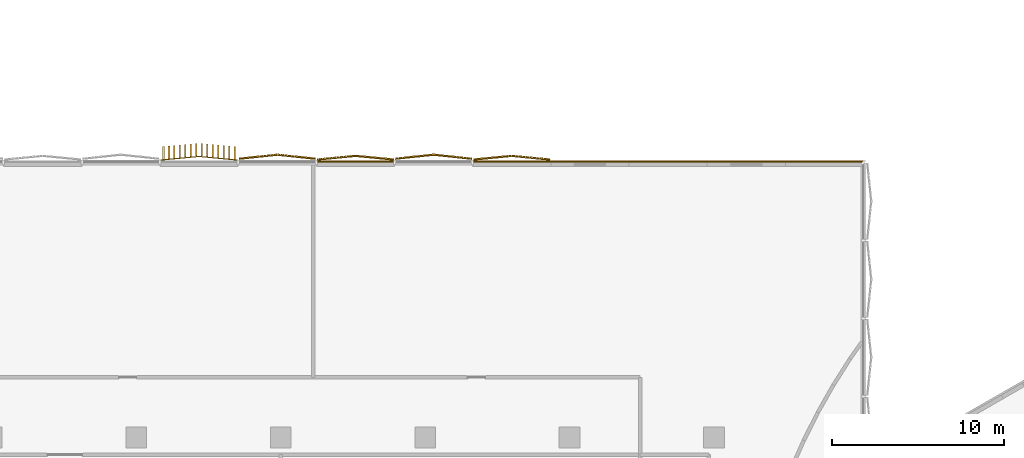
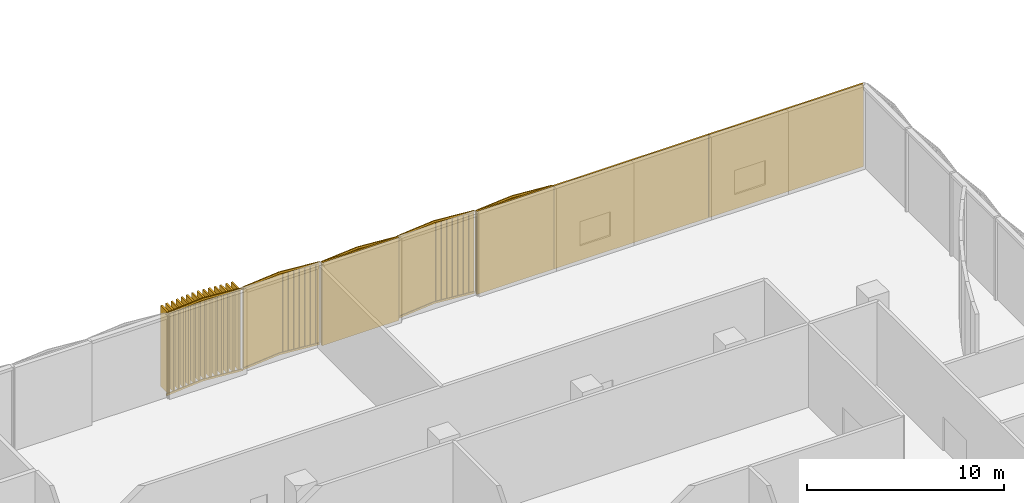
# One storey, part 30 of 31: 9 coverings.
"""IFC4 building model written with IfcOpenShell, lengths in metres."""

import ifcopenshell
import ifcopenshell.guid

model = None  # the IFC model being written
_history = None  # IfcOwnerHistory: only IFC2X3 demands one
_inside = {}  # id of a spatial element -> (the spatial element, [elements in it])
_under = {}  # id of a project, library or spatial element -> (it, [spatial elements below it])
_declared = {}  # id of a project -> (the project, [libraries it declares])
_typed = {}  # id of a type object -> (the type object, [elements of that type])
_made_of = {}  # id of a material, layer set ... -> (it, [elements and type objects made of it])


def new_model(schema):
    """Start an empty IFC model of exactly this schema.

    Asked for "IFC4X3", IfcOpenShell would pick the latest addendum, in which some entities
    have other attributes; the version numbers below select the first issue.
    IFC2X3 requires an IfcOwnerHistory on every rooted entity: one is made here for all.
    """
    global model, _history
    if schema == "IFC4X3":
        model = ifcopenshell.file(schema_version=(4, 3, 0, 0))
    else:
        model = ifcopenshell.file(schema=schema)
    _inside.clear()
    _under.clear()
    _declared.clear()
    _typed.clear()
    _made_of.clear()
    _history = None
    if model.schema == "IFC2X3":
        org = make("IfcOrganization", Name="unknown")
        user = make(
            "IfcPersonAndOrganization",
            ThePerson=make("IfcPerson", FamilyName="unknown"),
            TheOrganization=org,
        )
        app = make(
            "IfcApplication",
            ApplicationDeveloper=org,
            Version="unknown",
            ApplicationFullName="unknown",
            ApplicationIdentifier="unknown",
        )
        _history = make(
            "IfcOwnerHistory",
            OwningUser=user,
            OwningApplication=app,
            ChangeAction="ADDED",
            CreationDate=0,
        )
    return model


def make(cls, **values):
    """One entity of the class cls with the attributes given. An attribute that is None is left unset."""
    return model.create_entity(
        cls, **{name: value for name, value in values.items() if value is not None}
    )


def rooted(cls, **values):
    """An entity with a GlobalId (a new one), such as an element, a storey or a relation."""
    return make(cls, GlobalId=ifcopenshell.guid.new(), OwnerHistory=_history, **values)


def si_unit(unit_type, name, prefix=None):
    """IfcSIUnit, for example si_unit("LENGTHUNIT", "METRE", prefix="MILLI")."""
    return make("IfcSIUnit", UnitType=unit_type, Prefix=prefix, Name=name)


def assignment(units):
    """IfcUnitAssignment: the units of a project."""
    return None if units is None else make("IfcUnitAssignment", Units=units)


def point(xyz):
    """IfcCartesianPoint."""
    return None if xyz is None else make("IfcCartesianPoint", Coordinates=xyz)


def direction(xyz):
    """IfcDirection."""
    return None if xyz is None else make("IfcDirection", DirectionRatios=xyz)


def frame(location, z_axis=None, x_axis=None):
    """IfcAxis2Placement3D, a coordinate frame: its origin and axes. An axis left out is left unset."""
    return make(
        "IfcAxis2Placement3D",
        Location=point(location),
        Axis=direction(z_axis),
        RefDirection=direction(x_axis),
    )


def frame_2d(location, x_axis=None):
    """IfcAxis2Placement2D, a coordinate frame in the plane: its origin and x axis."""
    return make(
        "IfcAxis2Placement2D", Location=point(location), RefDirection=direction(x_axis)
    )


def origin():
    """The frame at (0, 0, 0) with its axes left unset."""
    return frame((0.0, 0.0, 0.0))


def origin_2d():
    """The frame at (0, 0) in the plane with its x axis left unset."""
    return frame_2d((0.0, 0.0))


def place(relative_to, where):
    """IfcLocalPlacement: puts the frame where relative to a parent placement (None: the world)."""
    return make(
        "IfcLocalPlacement", PlacementRelTo=relative_to, RelativePlacement=where
    )


def context(
    kind, dimensions, precision=None, world=None, true_north=None, identifier=None
):
    """IfcGeometricRepresentationContext, for example the 3D "Model" context."""
    return make(
        "IfcGeometricRepresentationContext",
        ContextIdentifier=identifier,
        ContextType=kind,
        CoordinateSpaceDimension=dimensions,
        Precision=precision,
        WorldCoordinateSystem=world,
        TrueNorth=true_north,
    )


def subcontext(parent, identifier, kind, view, scale=None):
    """IfcGeometricRepresentationSubContext, for example "Body" below "Model"."""
    return make(
        "IfcGeometricRepresentationSubContext",
        ContextIdentifier=identifier,
        ContextType=kind,
        ParentContext=parent,
        TargetScale=scale,
        TargetView=view,
    )


def project(units=None, contexts=None):
    """IfcProject with its units and contexts."""
    return rooted(
        "IfcProject",
        Name="project",
        RepresentationContexts=contexts,
        UnitsInContext=assignment(units),
    )


def spatial(cls, under=None, at=None, **own):
    """A site, building, storey or space (cls), placed at a placement, below another one or the project."""
    s = rooted(cls, ObjectPlacement=at, **own)
    if under is not None:
        _under.setdefault(under.id(), (under, []))[1].append(s)
    return s


def profile(cls, at=None, kind="AREA", **sizes):
    """A parametric profile (cls). Its sizes go by their IFC names, for example OverallWidth=200.0."""
    return make(cls, ProfileType=kind, Position=at, **sizes)


def rectangle(**sizes):
    """IfcRectangleProfileDef."""
    return profile("IfcRectangleProfileDef", **sizes)


def extrude(swept, where, along, depth):
    """IfcExtrudedAreaSolid: the profile swept, set in the frame where, extruded along a direction by depth."""
    return make(
        "IfcExtrudedAreaSolid",
        SweptArea=swept,
        Position=where,
        ExtrudedDirection=direction(along),
        Depth=depth,
    )


def shape(context_of_items, identifier, shape_type, items):
    """IfcShapeRepresentation: the items that make up one representation, for example the "Body"."""
    return make(
        "IfcShapeRepresentation",
        ContextOfItems=context_of_items,
        RepresentationIdentifier=identifier,
        RepresentationType=shape_type,
        Items=items,
    )


def source(mapping_origin, context_of_items, identifier, shape_type, items):
    """IfcRepresentationMap: a shape defined once, which mapped items show again and again."""
    return make(
        "IfcRepresentationMap",
        MappingOrigin=mapping_origin,
        MappedRepresentation=shape(context_of_items, identifier, shape_type, items),
    )


def transform(
    local_origin,
    x_axis=None,
    y_axis=None,
    z_axis=None,
    scale=None,
    scale2=None,
    scale3=None,
    uniform=True,
):
    """IfcCartesianTransformationOperator3D, or its non-uniform kind. x_axis, y_axis, z_axis: its Axis1, 2, 3."""
    if uniform:
        return make(
            "IfcCartesianTransformationOperator3D",
            Axis1=direction(x_axis),
            Axis2=direction(y_axis),
            LocalOrigin=point(local_origin),
            Scale=scale,
            Axis3=direction(z_axis),
        )
    return make(
        "IfcCartesianTransformationOperator3DnonUniform",
        Axis1=direction(x_axis),
        Axis2=direction(y_axis),
        LocalOrigin=point(local_origin),
        Scale=scale,
        Axis3=direction(z_axis),
        Scale2=scale2,
        Scale3=scale3,
    )


def mapped(mapping_source, mapping_target):
    """IfcMappedItem: shows the shape of a source again, moved by a transform."""
    return make(
        "IfcMappedItem", MappingSource=mapping_source, MappingTarget=mapping_target
    )


def material(Name=None, Category=None):
    """IfcMaterial."""
    return make("IfcMaterial", Name=Name, Category=Category)


def layer(
    of_material, thickness, ventilated=None, Name=None, Category=None, Priority=None
):
    """IfcMaterialLayer: one layer of a wall or slab, of a material (None: an air gap)."""
    return make(
        "IfcMaterialLayer",
        Material=of_material,
        LayerThickness=thickness,
        IsVentilated=ventilated,
        Name=Name,
        Category=Category,
        Priority=Priority,
    )


def layer_set(layers, Name=None):
    """IfcMaterialLayerSet."""
    return make("IfcMaterialLayerSet", MaterialLayers=layers, LayerSetName=Name)


def made_of(thing, what):
    """Note that an element or type object is made of a material, layer set ...; save() writes the relation."""
    if what is not None:
        _made_of.setdefault(what.id(), (what, []))[1].append(thing)
    return thing


def type_object(cls, material=None, **own):
    """A type object (cls), such as IfcWallType, which elements share."""
    return made_of(rooted(cls, **own), material)


def element(
    cls,
    number,
    at=None,
    inside=None,
    cuts=None,
    type_object=None,
    material=None,
    context=None,
    identifier="Body",
    shape_type=None,
    held_by="IfcProductDefinitionShape",
    body=None,
    shapes=None,
    **own,
):
    """One element of the class cls, such as IfcWall. Its Tag is "e" and its number.

    at: its placement. inside: the storey or other place that contains it. cuts: it is an
    opening in that element (IfcRelVoidsElement). A single representation is given by context,
    identifier, shape_type and body (its items); several are given by shapes. held_by: the class
    of the entity that holds the representations. save() writes the other relations.
    """
    e = rooted(cls, Tag="e%d" % number, ObjectPlacement=at, **own)
    if body is not None:
        shapes = [shape(context, identifier, shape_type, body)]
    if shapes is not None:
        e.Representation = make(held_by, Representations=shapes)
    if inside is not None:
        _inside.setdefault(inside.id(), (inside, []))[1].append(e)
    if cuts is not None:
        rooted(
            "IfcRelVoidsElement", RelatingBuildingElement=cuts, RelatedOpeningElement=e
        )
    if type_object is not None:
        _typed.setdefault(type_object.id(), (type_object, []))[1].append(e)
    return made_of(e, material)


def aggregate(whole, parts):
    """IfcRelAggregates: a whole, such as a stair, and the parts it consists of."""
    return rooted("IfcRelAggregates", RelatingObject=whole, RelatedObjects=parts)


def save(model, path):
    """Write the relations noted so far, then the file.

    IfcRelAggregates (storeys below a building ...), IfcRelContainedInSpatialStructure (elements
    in a storey), IfcRelDefinesByType, IfcRelAssociatesMaterial and IfcRelDeclares: one each for
    every whole, place, type object, material and project.
    """
    for whole, parts in _under.values():
        aggregate(whole, parts)
    for where, things in _inside.values():
        rooted(
            "IfcRelContainedInSpatialStructure",
            RelatedElements=things,
            RelatingStructure=where,
        )
    for kind, things in _typed.values():
        rooted("IfcRelDefinesByType", RelatedObjects=things, RelatingType=kind)
    for what, things in _made_of.values():
        rooted("IfcRelAssociatesMaterial", RelatedObjects=things, RelatingMaterial=what)
    for by, libraries in _declared.values():
        rooted("IfcRelDeclares", RelatingContext=by, RelatedDefinitions=libraries)
    model.write(path)


model = new_model("IFC4")

# Units and contexts
model_context = context("Model", 3, precision=1e-05, world=origin(), true_north=direction((0.0, 1.0)))
body_context = subcontext(model_context, "Body", "Model", "MODEL_VIEW")
ifc_project = project(units=[si_unit("LENGTHUNIT", "METRE"), si_unit("AREAUNIT", "SQUARE_METRE"), si_unit("VOLUMEUNIT", "CUBIC_METRE"), si_unit("PLANEANGLEUNIT", "RADIAN"), si_unit("MASSUNIT", "GRAM", prefix="KILO")], contexts=[model_context])

# Site, building, storey
site_placement = place(None, origin())
site = spatial("IfcSite", under=ifc_project, at=site_placement, CompositionType="ELEMENT")
building_placement = place(site_placement, origin())
building = spatial("IfcBuilding", under=site, at=building_placement, Name="Tamra Quay Hotel Tower", CompositionType="ELEMENT")
storey_placement = place(building_placement, frame((0.0, 0.0, 14.0)))
storey = spatial("IfcBuildingStorey", under=building, at=storey_placement, Name="L02", CompositionType="ELEMENT", Elevation=14.0)

# Coverings
ifc_material_1 = material(Name="Precast concrete M60 terracotta-coloured pierced relief", Category="masonry")
ifc_layer = layer(ifc_material_1, 0.10009765625)
ifc_layer_set = layer_set([ifc_layer], Name="PIERCED RELIEF PANEL 100")
covering_type_1 = type_object("IfcCoveringType", Name="PIERCED RELIEF PANEL 100", PredefinedType="CLADDING", material=ifc_layer_set)
for number, where, z_axis, x_axis, name in (
    (1, (-34.546142578125, 32.050048828125, 0.0), (0.0, 0.0, 1.0), (-1.0, 0.0, 0.0), "Relief panel L02.NW.11"),
    (2, (-43.638427734375, 32.050048828125, 0.0), (0.0, 0.0, 1.0), (-1.0, 0.0, 0.0), "Relief panel L02.NW.13"),
):
    element("IfcCovering", number, at=place(storey_placement, frame(where, z_axis=z_axis, x_axis=x_axis)), inside=storey, type_object=covering_type_1, Name=name, PredefinedType="CLADDING", context=body_context, shape_type="SweptSolid", body=[
        extrude(rectangle(XDim=9.072265625, YDim=0.10009765625, at=origin_2d()), origin(), (0.0, 0.0, 1.0), 5.14990234375),
    ])
for number, where, z_axis, x_axis, name in (
    (3, (-50.457763671875, 32.050048828125, 0.0), (0.0, 0.0, 1.0), (-1.0, 0.0, 0.0), "Relief panel L02.NW.15"),
    (4, (-59.550048828125, 32.050048828125, 0.0), (0.0, 0.0, 1.0), (-1.0, 0.0, 0.0), "Relief panel L02.NW.17"),
):
    element("IfcCovering", number, at=place(storey_placement, frame(where, z_axis=z_axis, x_axis=x_axis)), inside=storey, type_object=covering_type_1, Name=name, PredefinedType="CLADDING", context=body_context, shape_type="SweptSolid", body=[
        extrude(rectangle(XDim=4.526123046875, YDim=0.10009765625, at=origin_2d()), origin(), (0.0, 0.0, 1.0), 5.14990234375),
    ])
ifc_material_2 = material(Name="Terracotta baguette extruded", Category="masonry")
covering_type_2 = type_object("IfcCoveringType", Name="BAGUETTE SCREEN PODIUM-SHALLOW H5150", PredefinedType="USERDEFINED", material=ifc_material_2)
shared_shape_1 = source(origin(), body_context, "Body", "SweptSolid", [
    extrude(rectangle(XDim=2.244873046875, YDim=0.06005859375, at=frame_2d((1.12255859375, 0.030029296875))), frame((-2.23876953125, -0.0576171875, -0.1201171875), z_axis=(0.0, 0.0, 1.0), x_axis=(0.994521895368, -0.104528463268, 0.0)), (0.0, 0.0, 1.0), 0.1201171875),
    extrude(rectangle(XDim=2.244873046875, YDim=0.06005859375, at=frame_2d((1.12255859375, 0.030029296875))), frame((-2.23876953125, -0.0576171875, -5.14990234375), z_axis=(0.0, 0.0, 1.0), x_axis=(0.994521895368, -0.104528463268, 0.0)), (0.0, 0.0, 1.0), 0.1201171875),
    extrude(rectangle(XDim=0.094970703125, YDim=0.10009765625, at=frame_2d((0.04736328125, 0.050048828125))), frame((-2.229248046875, -0.13330078125, -5.090087890625)), (0.0, 0.0, 1.0), 5.030029296875),
    extrude(rectangle(XDim=0.094970703125, YDim=0.10009765625, at=frame_2d((0.04736328125, 0.050048828125))), frame((-2.127685546875, -0.14404296875, -5.090087890625)), (0.0, 0.0, 1.0), 5.030029296875),
    extrude(rectangle(XDim=0.094970703125, YDim=0.10009765625, at=frame_2d((0.04736328125, 0.050048828125))), frame((-2.0263671875, -0.154541015625, -5.090087890625)), (0.0, 0.0, 1.0), 5.030029296875),
    extrude(rectangle(XDim=0.094970703125, YDim=0.10009765625, at=frame_2d((0.04736328125, 0.050048828125))), frame((-1.9248046875, -0.165283203125, -5.090087890625)), (0.0, 0.0, 1.0), 5.030029296875),
    extrude(rectangle(XDim=0.094970703125, YDim=0.10009765625, at=frame_2d((0.04736328125, 0.050048828125))), frame((-1.8232421875, -0.176025390625, -5.090087890625)), (0.0, 0.0, 1.0), 5.030029296875),
    extrude(rectangle(XDim=0.094970703125, YDim=0.10009765625, at=frame_2d((0.04736328125, 0.050048828125))), frame((-1.721923828125, -0.186767578125, -5.090087890625)), (0.0, 0.0, 1.0), 5.030029296875),
    extrude(rectangle(XDim=0.094970703125, YDim=0.10009765625, at=frame_2d((0.04736328125, 0.050048828125))), frame((-1.620361328125, -0.197265625, -5.090087890625)), (0.0, 0.0, 1.0), 5.030029296875),
    extrude(rectangle(XDim=0.094970703125, YDim=0.10009765625, at=frame_2d((0.04736328125, 0.050048828125))), frame((-1.518798828125, -0.2080078125, -5.090087890625)), (0.0, 0.0, 1.0), 5.030029296875),
    extrude(rectangle(XDim=0.094970703125, YDim=0.10009765625, at=frame_2d((0.04736328125, 0.050048828125))), frame((-1.41748046875, -0.21875, -5.090087890625)), (0.0, 0.0, 1.0), 5.030029296875),
    extrude(rectangle(XDim=0.094970703125, YDim=0.10009765625, at=frame_2d((0.04736328125, 0.050048828125))), frame((-1.31591796875, -0.229248046875, -5.090087890625)), (0.0, 0.0, 1.0), 5.030029296875),
    extrude(rectangle(XDim=0.094970703125, YDim=0.10009765625, at=frame_2d((0.04736328125, 0.050048828125))), frame((-1.214599609375, -0.239990234375, -5.090087890625)), (0.0, 0.0, 1.0), 5.030029296875),
    extrude(rectangle(XDim=0.094970703125, YDim=0.10009765625, at=frame_2d((0.04736328125, 0.050048828125))), frame((-1.113037109375, -0.250732421875, -5.090087890625)), (0.0, 0.0, 1.0), 5.030029296875),
    extrude(rectangle(XDim=0.094970703125, YDim=0.10009765625, at=frame_2d((0.04736328125, 0.050048828125))), frame((-1.011474609375, -0.26123046875, -5.090087890625)), (0.0, 0.0, 1.0), 5.030029296875),
    extrude(rectangle(XDim=0.094970703125, YDim=0.10009765625, at=frame_2d((0.04736328125, 0.050048828125))), frame((-0.91015625, -0.27197265625, -5.090087890625)), (0.0, 0.0, 1.0), 5.030029296875),
    extrude(rectangle(XDim=0.094970703125, YDim=0.10009765625, at=frame_2d((0.04736328125, 0.050048828125))), frame((-0.80859375, -0.28271484375, -5.090087890625)), (0.0, 0.0, 1.0), 5.030029296875),
    extrude(rectangle(XDim=0.094970703125, YDim=0.10009765625, at=frame_2d((0.04736328125, 0.050048828125))), frame((-0.70703125, -0.293212890625, -5.090087890625)), (0.0, 0.0, 1.0), 5.030029296875),
    extrude(rectangle(XDim=0.094970703125, YDim=0.10009765625, at=frame_2d((0.04736328125, 0.050048828125))), frame((-0.605712890625, -0.303955078125, -5.090087890625)), (0.0, 0.0, 1.0), 5.030029296875),
    extrude(rectangle(XDim=0.094970703125, YDim=0.10009765625, at=frame_2d((0.04736328125, 0.050048828125))), frame((-0.504150390625, -0.314697265625, -5.090087890625)), (0.0, 0.0, 1.0), 5.030029296875),
    extrude(rectangle(XDim=0.094970703125, YDim=0.10009765625, at=frame_2d((0.04736328125, 0.050048828125))), frame((-0.402587890625, -0.325439453125, -5.090087890625)), (0.0, 0.0, 1.0), 5.030029296875),
    extrude(rectangle(XDim=0.094970703125, YDim=0.10009765625, at=frame_2d((0.04736328125, 0.050048828125))), frame((-0.30126953125, -0.3359375, -5.090087890625)), (0.0, 0.0, 1.0), 5.030029296875),
    extrude(rectangle(XDim=0.094970703125, YDim=0.10009765625, at=frame_2d((0.04736328125, 0.050048828125))), frame((-0.19970703125, -0.3466796875, -5.090087890625)), (0.0, 0.0, 1.0), 5.030029296875),
    extrude(rectangle(XDim=0.094970703125, YDim=0.10009765625, at=frame_2d((0.04736328125, 0.050048828125))), frame((-0.09814453125, -0.357421875, -5.090087890625)), (0.0, 0.0, 1.0), 5.030029296875),
    extrude(rectangle(XDim=2.244873046875, YDim=0.06005859375, at=frame_2d((1.12255859375, 0.030029296875))), frame((0.00634765625, -0.292236328125, -0.1201171875), z_axis=(0.0, 0.0, 1.0), x_axis=(0.994521895368, 0.104528463268, 0.0)), (0.0, 0.0, 1.0), 0.1201171875),
    extrude(rectangle(XDim=2.244873046875, YDim=0.06005859375, at=frame_2d((1.12255859375, 0.030029296875))), frame((0.00634765625, -0.292236328125, -5.14990234375), z_axis=(0.0, 0.0, 1.0), x_axis=(0.994521895368, 0.104528463268, 0.0)), (0.0, 0.0, 1.0), 0.1201171875),
    extrude(rectangle(XDim=0.094970703125, YDim=0.10009765625, at=frame_2d((0.04736328125, 0.050048828125))), frame((0.003173828125, -0.357421875, -5.090087890625)), (0.0, 0.0, 1.0), 5.030029296875),
    extrude(rectangle(XDim=0.094970703125, YDim=0.10009765625, at=frame_2d((0.04736328125, 0.050048828125))), frame((0.104736328125, -0.3466796875, -5.090087890625)), (0.0, 0.0, 1.0), 5.030029296875),
    extrude(rectangle(XDim=0.094970703125, YDim=0.10009765625, at=frame_2d((0.04736328125, 0.050048828125))), frame((0.206298828125, -0.3359375, -5.090087890625)), (0.0, 0.0, 1.0), 5.030029296875),
    extrude(rectangle(XDim=0.094970703125, YDim=0.10009765625, at=frame_2d((0.04736328125, 0.050048828125))), frame((0.3076171875, -0.325439453125, -5.090087890625)), (0.0, 0.0, 1.0), 5.030029296875),
    extrude(rectangle(XDim=0.094970703125, YDim=0.10009765625, at=frame_2d((0.04736328125, 0.050048828125))), frame((0.4091796875, -0.314697265625, -5.090087890625)), (0.0, 0.0, 1.0), 5.030029296875),
    extrude(rectangle(XDim=0.094970703125, YDim=0.10009765625, at=frame_2d((0.04736328125, 0.050048828125))), frame((0.510498046875, -0.303955078125, -5.090087890625)), (0.0, 0.0, 1.0), 5.030029296875),
    extrude(rectangle(XDim=0.094970703125, YDim=0.10009765625, at=frame_2d((0.04736328125, 0.050048828125))), frame((0.612060546875, -0.293212890625, -5.090087890625)), (0.0, 0.0, 1.0), 5.030029296875),
    extrude(rectangle(XDim=0.094970703125, YDim=0.10009765625, at=frame_2d((0.04736328125, 0.050048828125))), frame((0.713623046875, -0.28271484375, -5.090087890625)), (0.0, 0.0, 1.0), 5.030029296875),
    extrude(rectangle(XDim=0.094970703125, YDim=0.10009765625, at=frame_2d((0.04736328125, 0.050048828125))), frame((0.81494140625, -0.27197265625, -5.090087890625)), (0.0, 0.0, 1.0), 5.030029296875),
    extrude(rectangle(XDim=0.094970703125, YDim=0.10009765625, at=frame_2d((0.04736328125, 0.050048828125))), frame((0.91650390625, -0.26123046875, -5.090087890625)), (0.0, 0.0, 1.0), 5.030029296875),
    extrude(rectangle(XDim=0.094970703125, YDim=0.10009765625, at=frame_2d((0.04736328125, 0.050048828125))), frame((1.01806640625, -0.250732421875, -5.090087890625)), (0.0, 0.0, 1.0), 5.030029296875),
    extrude(rectangle(XDim=0.094970703125, YDim=0.10009765625, at=frame_2d((0.04736328125, 0.050048828125))), frame((1.119384765625, -0.239990234375, -5.090087890625)), (0.0, 0.0, 1.0), 5.030029296875),
    extrude(rectangle(XDim=0.094970703125, YDim=0.10009765625, at=frame_2d((0.04736328125, 0.050048828125))), frame((1.220947265625, -0.229248046875, -5.090087890625)), (0.0, 0.0, 1.0), 5.030029296875),
    extrude(rectangle(XDim=0.094970703125, YDim=0.10009765625, at=frame_2d((0.04736328125, 0.050048828125))), frame((1.322509765625, -0.21875, -5.090087890625)), (0.0, 0.0, 1.0), 5.030029296875),
    extrude(rectangle(XDim=0.094970703125, YDim=0.10009765625, at=frame_2d((0.04736328125, 0.050048828125))), frame((1.423828125, -0.2080078125, -5.090087890625)), (0.0, 0.0, 1.0), 5.030029296875),
    extrude(rectangle(XDim=0.094970703125, YDim=0.10009765625, at=frame_2d((0.04736328125, 0.050048828125))), frame((1.525390625, -0.197265625, -5.090087890625)), (0.0, 0.0, 1.0), 5.030029296875),
    extrude(rectangle(XDim=0.094970703125, YDim=0.10009765625, at=frame_2d((0.04736328125, 0.050048828125))), frame((1.626953125, -0.186767578125, -5.090087890625)), (0.0, 0.0, 1.0), 5.030029296875),
    extrude(rectangle(XDim=0.094970703125, YDim=0.10009765625, at=frame_2d((0.04736328125, 0.050048828125))), frame((1.728271484375, -0.176025390625, -5.090087890625)), (0.0, 0.0, 1.0), 5.030029296875),
    extrude(rectangle(XDim=0.094970703125, YDim=0.10009765625, at=frame_2d((0.04736328125, 0.050048828125))), frame((1.829833984375, -0.165283203125, -5.090087890625)), (0.0, 0.0, 1.0), 5.030029296875),
    extrude(rectangle(XDim=0.094970703125, YDim=0.10009765625, at=frame_2d((0.04736328125, 0.050048828125))), frame((1.931396484375, -0.154541015625, -5.090087890625)), (0.0, 0.0, 1.0), 5.030029296875),
    extrude(rectangle(XDim=0.094970703125, YDim=0.10009765625, at=frame_2d((0.04736328125, 0.050048828125))), frame((2.03271484375, -0.14404296875, -5.090087890625)), (0.0, 0.0, 1.0), 5.030029296875),
    extrude(rectangle(XDim=0.094970703125, YDim=0.10009765625, at=frame_2d((0.04736328125, 0.050048828125))), frame((2.13427734375, -0.13330078125, -5.090087890625)), (0.0, 0.0, 1.0), 5.030029296875),
])
for number, where, z_axis, x_axis, name in (
    (5, (-55.00390625, 32.14794921875, 5.14990234375), (0.0, 0.0, 1.0), (-1.0, 0.0, 0.0), "Baguette screen L02.NW.f00"),
    (6, (-64.09619140625, 32.14794921875, 5.14990234375), (0.0, 0.0, 1.0), (-1.0, 0.0, 0.0), "Baguette screen L02.NW.f01"),
):
    element("IfcCovering", number, at=place(storey_placement, frame(where, z_axis=z_axis, x_axis=x_axis)), inside=storey, type_object=covering_type_2, Name=name, ObjectType="BAGUETTE SCREEN", PredefinedType="USERDEFINED", context=body_context, shape_type="MappedRepresentation", body=[
        mapped(shared_shape_1, transform((0.0, 0.0, 0.0), scale=1.0)),
    ])
covering_type_3 = type_object("IfcCoveringType", Name="BAGUETTE SCREEN NW-SHALLOW H5150", PredefinedType="USERDEFINED", material=ifc_material_2)
shared_shape_2 = source(origin(), body_context, "Body", "SweptSolid", [
    extrude(rectangle(XDim=2.242919921875, YDim=0.06005859375, at=frame_2d((1.12158203125, 0.030029296875))), frame((-2.23828125, -0.0576171875, -0.1201171875), z_axis=(0.0, 0.0, 1.0), x_axis=(0.995396198367, -0.09584575252, 0.0)), (0.0, 0.0, 1.0), 0.1201171875),
    extrude(rectangle(XDim=2.242919921875, YDim=0.06005859375, at=frame_2d((1.12158203125, 0.030029296875))), frame((-2.23828125, -0.0576171875, -5.14990234375), z_axis=(0.0, 0.0, 1.0), x_axis=(0.995396198367, -0.09584575252, 0.0)), (0.0, 0.0, 1.0), 0.1201171875),
    extrude(rectangle(XDim=0.094970703125, YDim=0.10009765625, at=frame_2d((0.04736328125, 0.050048828125))), frame((-2.229248046875, -0.1328125, -5.090087890625)), (0.0, 0.0, 1.0), 5.030029296875),
    extrude(rectangle(XDim=0.094970703125, YDim=0.10009765625, at=frame_2d((0.04736328125, 0.050048828125))), frame((-2.127685546875, -0.142578125, -5.090087890625)), (0.0, 0.0, 1.0), 5.030029296875),
    extrude(rectangle(XDim=0.094970703125, YDim=0.10009765625, at=frame_2d((0.04736328125, 0.050048828125))), frame((-2.0263671875, -0.15234375, -5.090087890625)), (0.0, 0.0, 1.0), 5.030029296875),
    extrude(rectangle(XDim=0.094970703125, YDim=0.10009765625, at=frame_2d((0.04736328125, 0.050048828125))), frame((-1.9248046875, -0.162109375, -5.090087890625)), (0.0, 0.0, 1.0), 5.030029296875),
    extrude(rectangle(XDim=0.094970703125, YDim=0.10009765625, at=frame_2d((0.04736328125, 0.050048828125))), frame((-1.8232421875, -0.171875, -5.090087890625)), (0.0, 0.0, 1.0), 5.030029296875),
    extrude(rectangle(XDim=0.094970703125, YDim=0.10009765625, at=frame_2d((0.04736328125, 0.050048828125))), frame((-1.721923828125, -0.181640625, -5.090087890625)), (0.0, 0.0, 1.0), 5.030029296875),
    extrude(rectangle(XDim=0.094970703125, YDim=0.10009765625, at=frame_2d((0.04736328125, 0.050048828125))), frame((-1.620361328125, -0.19140625, -5.090087890625)), (0.0, 0.0, 1.0), 5.030029296875),
    extrude(rectangle(XDim=0.094970703125, YDim=0.10009765625, at=frame_2d((0.04736328125, 0.050048828125))), frame((-1.518798828125, -0.201171875, -5.090087890625)), (0.0, 0.0, 1.0), 5.030029296875),
    extrude(rectangle(XDim=0.094970703125, YDim=0.10009765625, at=frame_2d((0.04736328125, 0.050048828125))), frame((-1.41748046875, -0.2109375, -5.090087890625)), (0.0, 0.0, 1.0), 5.030029296875),
    extrude(rectangle(XDim=0.094970703125, YDim=0.10009765625, at=frame_2d((0.04736328125, 0.050048828125))), frame((-1.31591796875, -0.220947265625, -5.090087890625)), (0.0, 0.0, 1.0), 5.030029296875),
    extrude(rectangle(XDim=0.094970703125, YDim=0.10009765625, at=frame_2d((0.04736328125, 0.050048828125))), frame((-1.214599609375, -0.230712890625, -5.090087890625)), (0.0, 0.0, 1.0), 5.030029296875),
    extrude(rectangle(XDim=0.094970703125, YDim=0.10009765625, at=frame_2d((0.04736328125, 0.050048828125))), frame((-1.113037109375, -0.240478515625, -5.090087890625)), (0.0, 0.0, 1.0), 5.030029296875),
    extrude(rectangle(XDim=0.094970703125, YDim=0.10009765625, at=frame_2d((0.04736328125, 0.050048828125))), frame((-1.011474609375, -0.250244140625, -5.090087890625)), (0.0, 0.0, 1.0), 5.030029296875),
    extrude(rectangle(XDim=0.094970703125, YDim=0.10009765625, at=frame_2d((0.04736328125, 0.050048828125))), frame((-0.91015625, -0.260009765625, -5.090087890625)), (0.0, 0.0, 1.0), 5.030029296875),
    extrude(rectangle(XDim=0.094970703125, YDim=0.10009765625, at=frame_2d((0.04736328125, 0.050048828125))), frame((-0.80859375, -0.269775390625, -5.090087890625)), (0.0, 0.0, 1.0), 5.030029296875),
    extrude(rectangle(XDim=0.094970703125, YDim=0.10009765625, at=frame_2d((0.04736328125, 0.050048828125))), frame((-0.70703125, -0.279541015625, -5.090087890625)), (0.0, 0.0, 1.0), 5.030029296875),
    extrude(rectangle(XDim=0.094970703125, YDim=0.10009765625, at=frame_2d((0.04736328125, 0.050048828125))), frame((-0.605712890625, -0.289306640625, -5.090087890625)), (0.0, 0.0, 1.0), 5.030029296875),
    extrude(rectangle(XDim=0.094970703125, YDim=0.10009765625, at=frame_2d((0.04736328125, 0.050048828125))), frame((-0.504150390625, -0.299072265625, -5.090087890625)), (0.0, 0.0, 1.0), 5.030029296875),
    extrude(rectangle(XDim=0.094970703125, YDim=0.10009765625, at=frame_2d((0.04736328125, 0.050048828125))), frame((-0.402587890625, -0.308837890625, -5.090087890625)), (0.0, 0.0, 1.0), 5.030029296875),
    extrude(rectangle(XDim=0.094970703125, YDim=0.10009765625, at=frame_2d((0.04736328125, 0.050048828125))), frame((-0.30126953125, -0.318603515625, -5.090087890625)), (0.0, 0.0, 1.0), 5.030029296875),
    extrude(rectangle(XDim=0.094970703125, YDim=0.10009765625, at=frame_2d((0.04736328125, 0.050048828125))), frame((-0.19970703125, -0.328369140625, -5.090087890625)), (0.0, 0.0, 1.0), 5.030029296875),
    extrude(rectangle(XDim=0.094970703125, YDim=0.10009765625, at=frame_2d((0.04736328125, 0.050048828125))), frame((-0.09814453125, -0.338134765625, -5.090087890625)), (0.0, 0.0, 1.0), 5.030029296875),
    extrude(rectangle(XDim=2.242919921875, YDim=0.06005859375, at=frame_2d((1.12158203125, 0.030029296875))), frame((0.005859375, -0.272705078125, -0.1201171875), z_axis=(0.0, 0.0, 1.0), x_axis=(0.995396198367, 0.09584575252, 0.0)), (0.0, 0.0, 1.0), 0.1201171875),
    extrude(rectangle(XDim=2.242919921875, YDim=0.06005859375, at=frame_2d((1.12158203125, 0.030029296875))), frame((0.005859375, -0.272705078125, -5.14990234375), z_axis=(0.0, 0.0, 1.0), x_axis=(0.995396198367, 0.09584575252, 0.0)), (0.0, 0.0, 1.0), 0.1201171875),
    extrude(rectangle(XDim=0.094970703125, YDim=0.10009765625, at=frame_2d((0.04736328125, 0.050048828125))), frame((0.003173828125, -0.338134765625, -5.090087890625)), (0.0, 0.0, 1.0), 5.030029296875),
    extrude(rectangle(XDim=0.094970703125, YDim=0.10009765625, at=frame_2d((0.04736328125, 0.050048828125))), frame((0.104736328125, -0.328369140625, -5.090087890625)), (0.0, 0.0, 1.0), 5.030029296875),
    extrude(rectangle(XDim=0.094970703125, YDim=0.10009765625, at=frame_2d((0.04736328125, 0.050048828125))), frame((0.206298828125, -0.318603515625, -5.090087890625)), (0.0, 0.0, 1.0), 5.030029296875),
    extrude(rectangle(XDim=0.094970703125, YDim=0.10009765625, at=frame_2d((0.04736328125, 0.050048828125))), frame((0.3076171875, -0.308837890625, -5.090087890625)), (0.0, 0.0, 1.0), 5.030029296875),
    extrude(rectangle(XDim=0.094970703125, YDim=0.10009765625, at=frame_2d((0.04736328125, 0.050048828125))), frame((0.4091796875, -0.299072265625, -5.090087890625)), (0.0, 0.0, 1.0), 5.030029296875),
    extrude(rectangle(XDim=0.094970703125, YDim=0.10009765625, at=frame_2d((0.04736328125, 0.050048828125))), frame((0.5107421875, -0.289306640625, -5.090087890625)), (0.0, 0.0, 1.0), 5.030029296875),
    extrude(rectangle(XDim=0.094970703125, YDim=0.10009765625, at=frame_2d((0.04736328125, 0.050048828125))), frame((0.612060546875, -0.279541015625, -5.090087890625)), (0.0, 0.0, 1.0), 5.030029296875),
    extrude(rectangle(XDim=0.094970703125, YDim=0.10009765625, at=frame_2d((0.04736328125, 0.050048828125))), frame((0.713623046875, -0.269775390625, -5.090087890625)), (0.0, 0.0, 1.0), 5.030029296875),
    extrude(rectangle(XDim=0.094970703125, YDim=0.10009765625, at=frame_2d((0.04736328125, 0.050048828125))), frame((0.81494140625, -0.260009765625, -5.090087890625)), (0.0, 0.0, 1.0), 5.030029296875),
    extrude(rectangle(XDim=0.094970703125, YDim=0.10009765625, at=frame_2d((0.04736328125, 0.050048828125))), frame((0.91650390625, -0.250244140625, -5.090087890625)), (0.0, 0.0, 1.0), 5.030029296875),
    extrude(rectangle(XDim=0.094970703125, YDim=0.10009765625, at=frame_2d((0.04736328125, 0.050048828125))), frame((1.01806640625, -0.240478515625, -5.090087890625)), (0.0, 0.0, 1.0), 5.030029296875),
    extrude(rectangle(XDim=0.094970703125, YDim=0.10009765625, at=frame_2d((0.04736328125, 0.050048828125))), frame((1.119384765625, -0.230712890625, -5.090087890625)), (0.0, 0.0, 1.0), 5.030029296875),
    extrude(rectangle(XDim=0.094970703125, YDim=0.10009765625, at=frame_2d((0.04736328125, 0.050048828125))), frame((1.220947265625, -0.220947265625, -5.090087890625)), (0.0, 0.0, 1.0), 5.030029296875),
    extrude(rectangle(XDim=0.094970703125, YDim=0.10009765625, at=frame_2d((0.04736328125, 0.050048828125))), frame((1.322509765625, -0.2109375, -5.090087890625)), (0.0, 0.0, 1.0), 5.030029296875),
    extrude(rectangle(XDim=0.094970703125, YDim=0.10009765625, at=frame_2d((0.04736328125, 0.050048828125))), frame((1.423828125, -0.201171875, -5.090087890625)), (0.0, 0.0, 1.0), 5.030029296875),
    extrude(rectangle(XDim=0.094970703125, YDim=0.10009765625, at=frame_2d((0.04736328125, 0.050048828125))), frame((1.525390625, -0.19140625, -5.090087890625)), (0.0, 0.0, 1.0), 5.030029296875),
    extrude(rectangle(XDim=0.094970703125, YDim=0.10009765625, at=frame_2d((0.04736328125, 0.050048828125))), frame((1.626953125, -0.181640625, -5.090087890625)), (0.0, 0.0, 1.0), 5.030029296875),
    extrude(rectangle(XDim=0.094970703125, YDim=0.10009765625, at=frame_2d((0.04736328125, 0.050048828125))), frame((1.728271484375, -0.171875, -5.090087890625)), (0.0, 0.0, 1.0), 5.030029296875),
    extrude(rectangle(XDim=0.094970703125, YDim=0.10009765625, at=frame_2d((0.04736328125, 0.050048828125))), frame((1.829833984375, -0.162109375, -5.090087890625)), (0.0, 0.0, 1.0), 5.030029296875),
    extrude(rectangle(XDim=0.094970703125, YDim=0.10009765625, at=frame_2d((0.04736328125, 0.050048828125))), frame((1.931396484375, -0.15234375, -5.090087890625)), (0.0, 0.0, 1.0), 5.030029296875),
    extrude(rectangle(XDim=0.094970703125, YDim=0.10009765625, at=frame_2d((0.04736328125, 0.050048828125))), frame((2.03271484375, -0.142578125, -5.090087890625)), (0.0, 0.0, 1.0), 5.030029296875),
    extrude(rectangle(XDim=0.094970703125, YDim=0.10009765625, at=frame_2d((0.04736328125, 0.050048828125))), frame((2.13427734375, -0.1328125, -5.090087890625)), (0.0, 0.0, 1.0), 5.030029296875),
])
for number, where, z_axis, x_axis, name in (
    (7, (-50.457763671875, 32.10009765625, 5.14990234375), (0.0, 0.0, 1.0), (-1.0, 0.0, 0.0), "Baguette screen wing.L02.NW.15"),
    (8, (-59.550048828125, 32.10009765625, 5.14990234375), (0.0, 0.0, 1.0), (-1.0, 0.0, 0.0), "Baguette screen wing.L02.NW.17"),
):
    element("IfcCovering", number, at=place(storey_placement, frame(where, z_axis=z_axis, x_axis=x_axis)), inside=storey, type_object=covering_type_3, Name=name, ObjectType="BAGUETTE SCREEN", PredefinedType="USERDEFINED", context=body_context, shape_type="MappedRepresentation", body=[
        mapped(shared_shape_2, transform((0.0, 0.0, 0.0), scale=1.0)),
    ])
covering_type_4 = type_object("IfcCoveringType", Name="BAGUETTE SCREEN NW-DEEP H5150", PredefinedType="USERDEFINED", material=ifc_material_2)
shared_shape_3 = source(origin(), body_context, "Body", "SweptSolid", [
    extrude(rectangle(XDim=2.242919921875, YDim=0.06005859375, at=frame_2d((1.12158203125, 0.030029296875))), frame((-2.23828125, -0.0576171875, -0.1201171875), z_axis=(0.0, 0.0, 1.0), x_axis=(0.995396198367, -0.09584575252, 0.0)), (0.0, 0.0, 1.0), 0.1201171875),
    extrude(rectangle(XDim=2.242919921875, YDim=0.06005859375, at=frame_2d((1.12158203125, 0.030029296875))), frame((-2.23828125, -0.0576171875, -5.14990234375), z_axis=(0.0, 0.0, 1.0), x_axis=(0.995396198367, -0.09584575252, 0.0)), (0.0, 0.0, 1.0), 0.1201171875),
    extrude(rectangle(XDim=0.10009765625, YDim=0.780029296875, at=frame_2d((0.050048828125, 0.39013671875))), frame((-2.123046875, -0.8232421875, -5.090087890625)), (0.0, 0.0, 1.0), 5.030029296875),
    extrude(rectangle(XDim=0.10009765625, YDim=0.780029296875, at=frame_2d((0.050048828125, 0.39013671875))), frame((-1.80419921875, -0.85400390625, -5.090087890625)), (0.0, 0.0, 1.0), 5.030029296875),
    extrude(rectangle(XDim=0.10009765625, YDim=0.780029296875, at=frame_2d((0.050048828125, 0.39013671875))), frame((-1.485107421875, -0.884765625, -5.090087890625)), (0.0, 0.0, 1.0), 5.030029296875),
    extrude(rectangle(XDim=0.10009765625, YDim=0.780029296875, at=frame_2d((0.050048828125, 0.39013671875))), frame((-1.166259765625, -0.91552734375, -5.090087890625)), (0.0, 0.0, 1.0), 5.030029296875),
    extrude(rectangle(XDim=0.10009765625, YDim=0.780029296875, at=frame_2d((0.050048828125, 0.39013671875))), frame((-0.847412109375, -0.9462890625, -5.090087890625)), (0.0, 0.0, 1.0), 5.030029296875),
    extrude(rectangle(XDim=0.10009765625, YDim=0.780029296875, at=frame_2d((0.050048828125, 0.39013671875))), frame((-0.5283203125, -0.976806640625, -5.090087890625)), (0.0, 0.0, 1.0), 5.030029296875),
    extrude(rectangle(XDim=0.10009765625, YDim=0.780029296875, at=frame_2d((0.050048828125, 0.39013671875))), frame((-0.20947265625, -1.007568359375, -5.090087890625)), (0.0, 0.0, 1.0), 5.030029296875),
    extrude(rectangle(XDim=2.242919921875, YDim=0.06005859375, at=frame_2d((1.12158203125, 0.030029296875))), frame((0.005859375, -0.272705078125, -0.1201171875), z_axis=(0.0, 0.0, 1.0), x_axis=(0.995396198367, 0.09584575252, 0.0)), (0.0, 0.0, 1.0), 0.1201171875),
    extrude(rectangle(XDim=2.242919921875, YDim=0.06005859375, at=frame_2d((1.12158203125, 0.030029296875))), frame((0.005859375, -0.272705078125, -5.14990234375), z_axis=(0.0, 0.0, 1.0), x_axis=(0.995396198367, 0.09584575252, 0.0)), (0.0, 0.0, 1.0), 0.1201171875),
    extrude(rectangle(XDim=0.10009765625, YDim=0.780029296875, at=frame_2d((0.050048828125, 0.39013671875))), frame((0.109375, -1.007568359375, -5.090087890625)), (0.0, 0.0, 1.0), 5.030029296875),
    extrude(rectangle(XDim=0.10009765625, YDim=0.780029296875, at=frame_2d((0.050048828125, 0.39013671875))), frame((0.428466796875, -0.976806640625, -5.090087890625)), (0.0, 0.0, 1.0), 5.030029296875),
    extrude(rectangle(XDim=0.10009765625, YDim=0.780029296875, at=frame_2d((0.050048828125, 0.39013671875))), frame((0.747314453125, -0.9462890625, -5.090087890625)), (0.0, 0.0, 1.0), 5.030029296875),
    extrude(rectangle(XDim=0.10009765625, YDim=0.780029296875, at=frame_2d((0.050048828125, 0.39013671875))), frame((1.066162109375, -0.91552734375, -5.090087890625)), (0.0, 0.0, 1.0), 5.030029296875),
    extrude(rectangle(XDim=0.10009765625, YDim=0.780029296875, at=frame_2d((0.050048828125, 0.39013671875))), frame((1.38525390625, -0.884765625, -5.090087890625)), (0.0, 0.0, 1.0), 5.030029296875),
    extrude(rectangle(XDim=0.10009765625, YDim=0.780029296875, at=frame_2d((0.050048828125, 0.39013671875))), frame((1.7041015625, -0.85400390625, -5.090087890625)), (0.0, 0.0, 1.0), 5.030029296875),
    extrude(rectangle(XDim=0.10009765625, YDim=0.780029296875, at=frame_2d((0.050048828125, 0.39013671875))), frame((2.02294921875, -0.8232421875, -5.090087890625)), (0.0, 0.0, 1.0), 5.030029296875),
])
covering_placement = place(storey_placement, frame((-68.642333984375, 32.10009765625, 5.14990234375), z_axis=(0.0, 0.0, 1.0), x_axis=(-1.0, 0.0, 0.0)))
element("IfcCovering", 9, at=covering_placement, inside=storey, type_object=covering_type_4, Name="Baguette screen wing.L02.NW.19", ObjectType="BAGUETTE SCREEN", PredefinedType="USERDEFINED", context=body_context, shape_type="MappedRepresentation", body=[
    mapped(shared_shape_3, transform((0.0, 0.0, 0.0), scale=1.0)),
])

save(model, "model.ifc")
